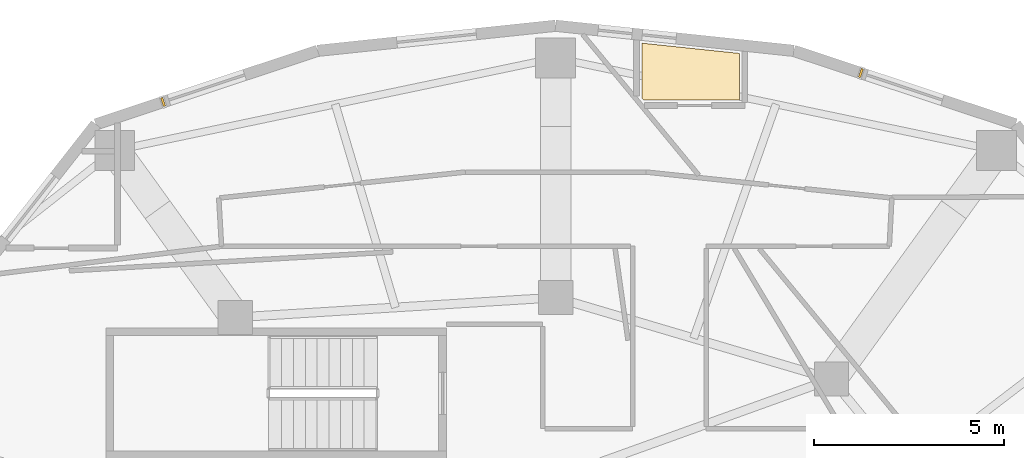
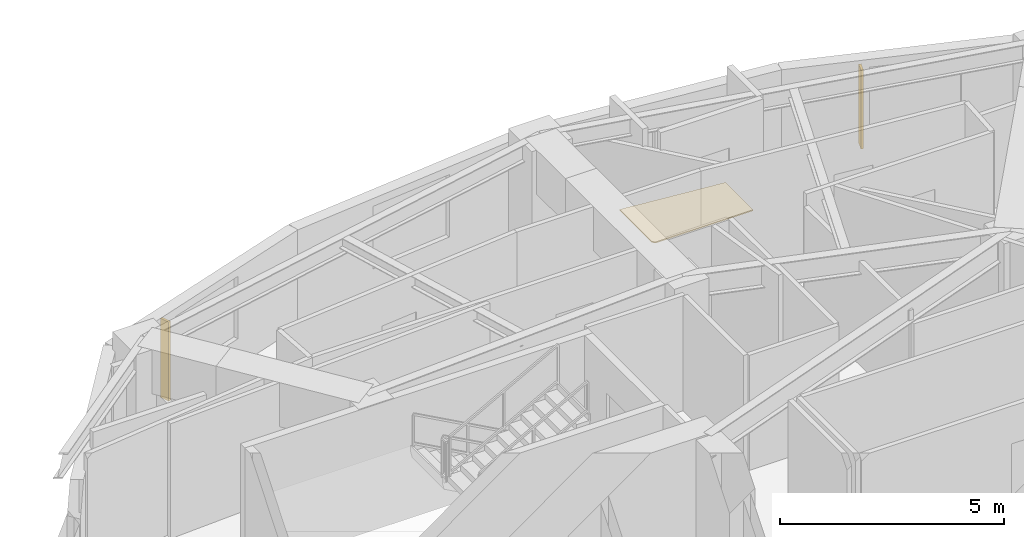
# One storey, part 12 of 12: 2 shading devices, 1 covering.
"""IFC4 building model written with IfcOpenShell, lengths in metres."""

from ifc_helpers import new_model, si_unit, direction, frame, origin, origin_2d, place, context, subcontext, project, spatial, polyline, rectangle, outline, extrude, material, layer, layer_set, type_object, element, save


model = new_model("IFC4")

# Units and contexts
model_context = context("Model", 3, precision=1e-05, world=origin(), true_north=direction((0.0, 1.0)))
body_context = subcontext(model_context, "Body", "Model", "MODEL_VIEW")
ifc_project = project(units=[si_unit("LENGTHUNIT", "METRE"), si_unit("AREAUNIT", "SQUARE_METRE"), si_unit("VOLUMEUNIT", "CUBIC_METRE"), si_unit("PLANEANGLEUNIT", "RADIAN"), si_unit("MASSUNIT", "GRAM", prefix="KILO")], contexts=[model_context])

# Site, building, storey
site_placement = place(None, origin())
site = spatial("IfcSite", under=ifc_project, at=site_placement, CompositionType="ELEMENT")
building_placement = place(site_placement, origin())
building = spatial("IfcBuilding", under=site, at=building_placement, Name="Kolvaren Gate Tower and Convention Centre", CompositionType="ELEMENT")
storey_placement = place(building_placement, frame((0.0, 0.0, 139.300048828125)))
storey = spatial("IfcBuildingStorey", under=building, at=storey_placement, Name="L35", CompositionType="ELEMENT", Elevation=139.300048828125)

# Covering
ifc_material_1 = material(Name="Honed Sabana Limestone Terrazzo Flooring 30 mm", Category="masonry")
ifc_layer = layer(ifc_material_1, 0.030029296875)
ifc_layer_set = layer_set([ifc_layer], Name="Honed Sabana Limestone Terrazzo Flooring 30 mm")
covering_type = type_object("IfcCoveringType", Name="ARCH-COV-FLR-30", PredefinedType="FLOORING", material=ifc_layer_set)
covering_placement = place(storey_placement, origin())
element("IfcCovering", 1, at=covering_placement, inside=storey, type_object=covering_type, Name="En-suite Bathroom (HTL-L35-08) Interior Finish Flooring", PredefinedType="FLOORING", context=body_context, shape_type="SweptSolid", body=[
    extrude(outline(polyline([(34.9599609375, 44.389892578125), (32.445068359375, 44.389892578125), (32.389892578125, 44.4560546875), (32.389892578125, 45.889892578125), (34.9599609375, 45.6201171875), (34.9599609375, 44.389892578125)])), origin(), (0.0, 0.0, 1.0), 0.030029296875),
])

# Shading devices
ifc_material_2 = material(Name="Kiln-Fired Bogota Terracotta Ceramic Louvre Profile", Category="masonry")
shading_device_type = type_object("IfcShadingDeviceType", Name="ARCH-SHD-FIN-180", PredefinedType="JALOUSIE", material=ifc_material_2)
for number, where, z_axis, x_axis, name in (
    (2, (38.153564453125, 45.104736328125, 0.219970703125), (0.0, 0.0, 1.0), (0.949240081615, -0.314552487599, 0.0), "Ceramic Vertical Brise-Soleil Fin FN-L35-04"),
    (3, (19.7998046875, 44.343505859375, 0.219970703125), (0.0, 0.0, 1.0), (0.949238434609, 0.314557457804, 0.0), "Ceramic Vertical Brise-Soleil Fin FN-L35-07"),
):
    element("IfcShadingDevice", number, at=place(storey_placement, frame(where, z_axis=z_axis, x_axis=x_axis)), inside=storey, type_object=shading_device_type, Name=name, PredefinedType="JALOUSIE", context=body_context, shape_type="SweptSolid", body=[
        extrude(rectangle(XDim=0.06005859375, YDim=0.239990234375, at=origin_2d()), origin(), (0.0, 0.0, 1.0), 2.14990234375),
    ])

save(model, "model.ifc")
